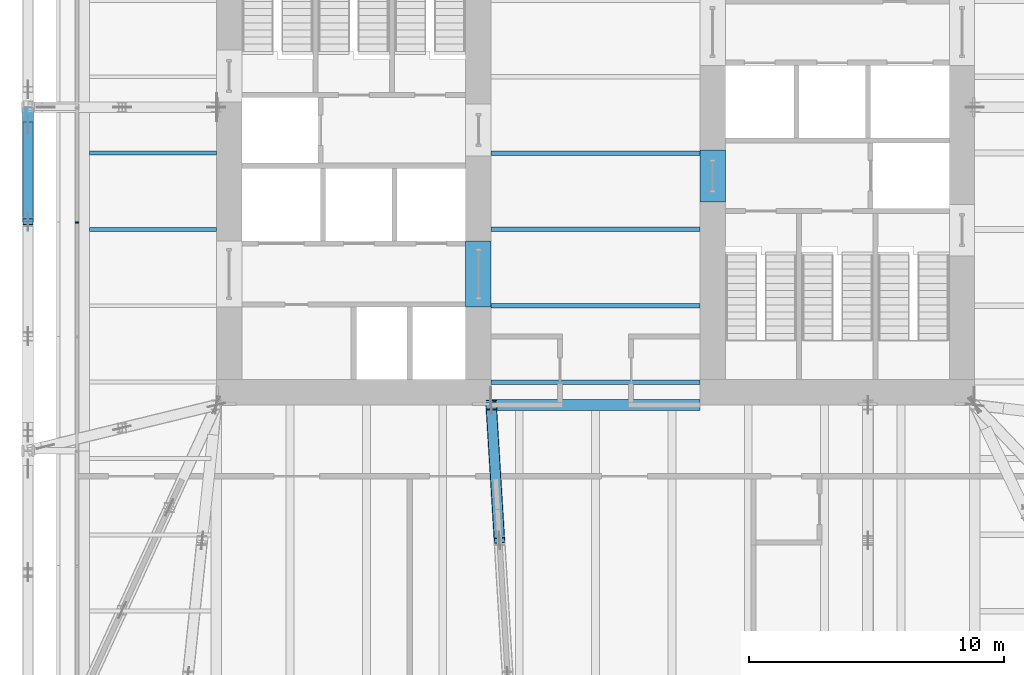
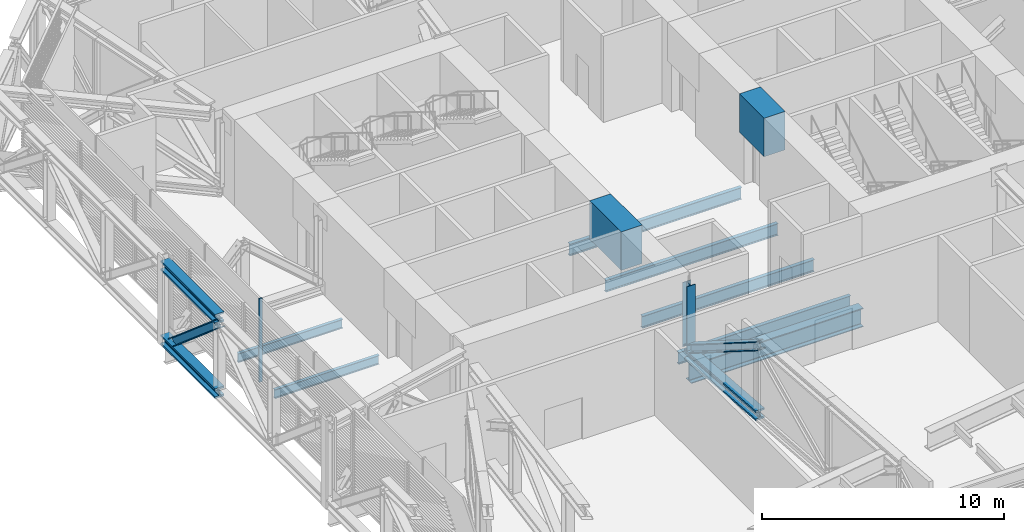
# One storey, part 8 of 31: 12 beams, 4 members, 1 element without a shape of its own.
"""IFC4 building model written with IfcOpenShell, lengths in metres."""

from ifc_helpers import new_model, si_unit, direction, frame, origin, origin_2d, place, context, subcontext, project, spatial, rectangle, i_section, extrude, material, layer, layer_set, material_profile, profile_set, type_object, element, aggregate, save


model = new_model("IFC4")

# Units and contexts
model_context = context("Model", 3, precision=1e-05, world=origin(), true_north=direction((0.0, 1.0)))
body_context = subcontext(model_context, "Body", "Model", "MODEL_VIEW")
ifc_project = project(units=[si_unit("LENGTHUNIT", "METRE"), si_unit("AREAUNIT", "SQUARE_METRE"), si_unit("VOLUMEUNIT", "CUBIC_METRE"), si_unit("PLANEANGLEUNIT", "RADIAN"), si_unit("MASSUNIT", "GRAM", prefix="KILO")], contexts=[model_context])

# Site, building, storey
site_placement = place(None, origin())
site = spatial("IfcSite", under=ifc_project, at=site_placement, CompositionType="ELEMENT")
building_placement = place(site_placement, origin())
building = spatial("IfcBuilding", under=site, at=building_placement, Name="Millrace Tower", CompositionType="ELEMENT")
storey_placement = place(building_placement, frame((0.0, 0.0, 120.39990234375)))
storey = spatial("IfcBuildingStorey", under=building, at=storey_placement, Name="L26", CompositionType="ELEMENT", Elevation=120.39990234375)

# Beams
ifc_material_1 = material(Name="Steel ASTM A992 Grade 50", Category="steel")
ifc_material_profile_1 = material_profile(ifc_material_1, i_section(OverallWidth=0.431884765625, OverallDepth=0.497802734375, WebThickness=0.0556640625, FlangeThickness=0.0888671875, FilletRadius=0.01513671875, at=origin_2d()))
ifc_profile_set_1 = profile_set([ifc_material_profile_1], Name="Steel ASTM A992 Grade 50")
beam_type_1 = type_object("IfcBeamType", Name="Belt truss chord W14x500", PredefinedType="BEAM", material=ifc_profile_set_1)
for number, where, z_axis, x_axis, name in (
    (1, (-22.300048828125, 1.800048828125, 0.2490234375), (0.0, -1.0, 0.0), (1.0, 0.0, 0.0), "BLT-L26-R15-B01"),
    (2, (-22.300048828125, 1.800048828125, 3.9912109375), (0.0, -1.0, 0.0), (1.0, 0.0, 0.0), "BLT-L26-R15-T01"),
):
    element("IfcBeam", number, at=place(storey_placement, frame(where, z_axis=z_axis, x_axis=x_axis)), inside=storey, type_object=beam_type_1, Name=name, PredefinedType="BEAM", context=body_context, shape_type="SweptSolid", body=[
        extrude(i_section(OverallWidth=0.431884765625, OverallDepth=0.497802734375, WebThickness=0.0556640625, FlangeThickness=0.0888671875, FilletRadius=0.01513671875, at=origin_2d()), origin(), (0.0, 0.0, 1.0), 4.5),
    ])

# Member
ifc_material_2 = material(Name="Steel ASTM A992 Grade 50", Category="steel")
ifc_material_profile_2 = material_profile(ifc_material_2, i_section(OverallWidth=0.4013671875, OverallDepth=0.398681640625, WebThickness=0.02490234375, FlangeThickness=0.03955078125, FilletRadius=0.01513671875, at=origin_2d()))
ifc_profile_set_2 = profile_set([ifc_material_profile_2], Name="Steel ASTM A992 Grade 50")
member_type_1 = type_object("IfcMemberType", Name="Belt truss diagonal W14x211", PredefinedType="BRACE", material=ifc_profile_set_2)
member_1_placement = place(storey_placement, frame((-22.300048828125, 1.10009765625, 0.498046875), z_axis=(0.0, -0.760545081281, 0.649285129461), x_axis=(1.0, 0.0, 0.0)))
element("IfcMember", 3, at=member_1_placement, inside=storey, type_object=member_type_1, Name="BLT-L26-R15-D01", PredefinedType="BRACE", context=body_context, shape_type="SweptSolid", body=[
    extrude(i_section(OverallWidth=0.4013671875, OverallDepth=0.398681640625, WebThickness=0.02490234375, FlangeThickness=0.03955078125, FilletRadius=0.01513671875, at=origin_2d()), origin(), (0.0, 0.0, 1.0), 4.99658203125),
])

# Curtain wall, member
ifc_material_3 = material(Name="Aluminium and glass", Category="aluminium")
ifc_layer = layer(ifc_material_3, 0.14990234375)
ifc_layer_set = layer_set([ifc_layer], Name="Aluminium and glass")
curtain_wall_type = type_object("IfcCurtainWallType", Name="CW-5 truss and plant storey louvred infill", PredefinedType="NOTDEFINED", material=ifc_layer_set)
curtain_wall_placement = place(storey_placement, origin())
curtain_wall = element("IfcCurtainWall", 4, at=curtain_wall_placement, inside=storey, type_object=curtain_wall_type, Name="Curtain wall B-F08 L26", PredefinedType="NOTDEFINED")
ifc_material_4 = material(Name="Aluminium", Category="aluminium")
ifc_material_profile_3 = material_profile(ifc_material_4, rectangle(XDim=0.06494140625, YDim=0.14990234375, at=origin_2d()))
ifc_profile_set_3 = profile_set([ifc_material_profile_3], Name="Aluminium")
member_type_2 = type_object("IfcMemberType", Name="CW-5 truss and plant storey louvred infill mullion", PredefinedType="MULLION", material=ifc_profile_set_3)
member_2_placement = place(storey_placement, frame((-20.375, -2.732421875, 0.14013671875), z_axis=(0.0, 0.0, 1.0), x_axis=(0.0, -1.0, 0.0)))
member_2 = element("IfcMember", 5, at=member_2_placement, type_object=member_type_2, Name="CW5 mullion B-F08.5", PredefinedType="MULLION", context=body_context, shape_type="SweptSolid", body=[
    extrude(rectangle(XDim=0.06494140625, YDim=0.14990234375, at=origin_2d()), origin(), (0.0, 0.0, 1.0), 4.199951171875),
])
aggregate(curtain_wall, [member_2])

# Beams
ifc_material_5 = material(Name="Concrete C80", Category="concrete")
ifc_material_profile_4 = material_profile(ifc_material_5, rectangle(XDim=1.0, YDim=1.93994140625, at=origin_2d()))
ifc_profile_set_4 = profile_set([ifc_material_profile_4], Name="Concrete C80")
beam_type_2 = type_object("IfcBeamType", Name="Coupling beam 1000 x 1940 Concrete C80, 1300 opening", PredefinedType="BEAM", material=ifc_profile_set_4)
beam_1_placement = place(storey_placement, frame((4.60009765625, 0.118408203125, 3.3701171875), z_axis=(0.0, -1.0, 0.0), x_axis=(1.0, 0.0, 0.0)))
element("IfcBeam", 6, at=beam_1_placement, inside=storey, type_object=beam_type_2, Name="Coupling beam E L26", PredefinedType="BEAM", context=body_context, shape_type="SweptSolid", body=[
    extrude(rectangle(XDim=1.0, YDim=1.93994140625, at=origin_2d()), origin(), (0.0, 0.0, 1.0), 2.036865234375),
])
ifc_material_6 = material(Name="Concrete C80", Category="concrete")
ifc_material_profile_5 = material_profile(ifc_material_6, rectangle(XDim=1.0, YDim=1.93994140625, at=origin_2d()))
ifc_profile_set_5 = profile_set([ifc_material_profile_5], Name="Concrete C80")
beam_type_3 = type_object("IfcBeamType", Name="Coupling beam 1000 x 1940 Concrete C80, 2000 opening", PredefinedType="BEAM", material=ifc_profile_set_5)
beam_2_placement = place(storey_placement, frame((-4.60009765625, -6.050048828125, 3.3701171875), z_axis=(0.0, 1.0, 0.0), x_axis=(-1.0, 0.0, 0.0)))
element("IfcBeam", 7, at=beam_2_placement, inside=storey, type_object=beam_type_3, Name="Coupling beam W L26", PredefinedType="BEAM", context=body_context, shape_type="SweptSolid", body=[
    extrude(rectangle(XDim=1.0, YDim=1.93994140625, at=origin_2d()), origin(), (0.0, 0.0, 1.0), 2.60009765625),
])
ifc_material_7 = material(Name="Steel ASTM A992 Grade 50", Category="steel")
ifc_material_profile_6 = material_profile(ifc_material_7, i_section(OverallWidth=0.15234375, OverallDepth=0.449462890625, WebThickness=0.007568359375, FlangeThickness=0.0107421875, FilletRadius=0.01025390625, at=origin_2d()))
ifc_profile_set_6 = profile_set([ifc_material_profile_6], Name="Steel ASTM A992 Grade 50")
beam_type_4 = type_object("IfcBeamType", Name="Floor beam W18x35", PredefinedType="JOIST", material=ifc_profile_set_6)
for number, where, z_axis, x_axis, name in (
    (8, (-19.87841796875, -3.0, -0.474609375), (1.0, 0.0, 0.0), (0.0, 1.0, 0.0), "BM-B-L26-S1-S020"),
    (9, (-19.87841796875, 0.0, -0.474609375), (1.0, 0.0, 0.0), (0.0, 1.0, 0.0), "BM-B-L26-S1-S023"),
):
    element("IfcBeam", number, at=place(storey_placement, frame(where, z_axis=z_axis, x_axis=x_axis)), inside=storey, type_object=beam_type_4, Name=name, PredefinedType="JOIST", context=body_context, shape_type="SweptSolid", body=[
        extrude(i_section(OverallWidth=0.15234375, OverallDepth=0.449462890625, WebThickness=0.007568359375, FlangeThickness=0.0107421875, FilletRadius=0.01025390625, at=origin_2d()), origin(), (0.0, 0.0, 1.0), 4.978515625),
    ])
ifc_material_8 = material(Name="Steel ASTM A992 Grade 50", Category="steel")
ifc_material_profile_7 = material_profile(ifc_material_8, i_section(OverallWidth=0.177978515625, OverallDepth=0.599365234375, WebThickness=0.010009765625, FlangeThickness=0.012939453125, FilletRadius=0.012939453125, at=origin_2d()))
ifc_profile_set_7 = profile_set([ifc_material_profile_7], Name="Steel ASTM A992 Grade 50")
beam_type_5 = type_object("IfcBeamType", Name="Floor beam W24x55", PredefinedType="JOIST", material=ifc_profile_set_7)
for number, where, z_axis, x_axis, name in (
    (10, (-4.10009765625, -9.0, -0.549560546875), (1.0, 0.0, 0.0), (0.0, 1.0, 0.0), "BM-B-L26-S1-S013"),
    (11, (-4.10009765625, -6.0, -0.549560546875), (1.0, 0.0, 0.0), (0.0, 1.0, 0.0), "BM-B-L26-S1-S016"),
    (12, (-4.10009765625, -3.0, -0.549560546875), (1.0, 0.0, 0.0), (0.0, 1.0, 0.0), "BM-B-L26-S1-S019"),
    (13, (-4.10009765625, 0.0, -0.549560546875), (1.0, 0.0, 0.0), (0.0, 1.0, 0.0), "BM-B-L26-S1-S022"),
):
    element("IfcBeam", number, at=place(storey_placement, frame(where, z_axis=z_axis, x_axis=x_axis)), inside=storey, type_object=beam_type_5, Name=name, PredefinedType="JOIST", context=body_context, shape_type="SweptSolid", body=[
        extrude(i_section(OverallWidth=0.177978515625, OverallDepth=0.599365234375, WebThickness=0.010009765625, FlangeThickness=0.012939453125, FilletRadius=0.012939453125, at=origin_2d()), origin(), (0.0, 0.0, 1.0), 8.2001953125),
    ])
ifc_material_9 = material(Name="Steel ASTM A992 Grade 50", Category="steel")
ifc_material_profile_8 = material_profile(ifc_material_9, i_section(OverallWidth=0.424072265625, OverallDepth=0.947509765625, WebThickness=0.02392578125, FlangeThickness=0.042724609375, FilletRadius=0.024169921875, at=origin_2d()))
ifc_profile_set_8 = profile_set([ifc_material_profile_8], Name="Steel ASTM A992 Grade 50")
beam_type_6 = type_object("IfcBeamType", Name="Girder short span W36x302", PredefinedType="BEAM", material=ifc_profile_set_8)
beam_3_placement = place(storey_placement, frame((-4.10009765625, -9.89990234375, -0.7236328125), z_axis=(1.0, 0.0, 0.0), x_axis=(0.0, 1.0, 0.0)))
element("IfcBeam", 14, at=beam_3_placement, inside=storey, type_object=beam_type_6, Name="BM-B-L26-S1-G063", PredefinedType="BEAM", context=body_context, shape_type="SweptSolid", body=[
    extrude(i_section(OverallWidth=0.424072265625, OverallDepth=0.947509765625, WebThickness=0.02392578125, FlangeThickness=0.042724609375, FilletRadius=0.024169921875, at=origin_2d()), origin(), (0.0, 0.0, 1.0), 8.2001953125),
])
ifc_material_10 = material(Name="Steel ASTM A992 Grade 50", Category="steel")
ifc_material_profile_9 = material_profile(ifc_material_10, i_section(OverallWidth=0.431884765625, OverallDepth=0.497802734375, WebThickness=0.0556640625, FlangeThickness=0.0888671875, FilletRadius=0.01513671875, at=origin_2d()))
ifc_profile_set_9 = profile_set([ifc_material_profile_9], Name="Steel ASTM A992 Grade 50")
beam_type_7 = type_object("IfcBeamType", Name="Outrigger truss chord W14x500", PredefinedType="BEAM", material=ifc_profile_set_9)
beam_4_placement = place(storey_placement, frame((-4.10009765625, -9.89990234375, 0.2490234375), z_axis=(0.060953753328, -0.998140591277, 0.0), x_axis=(0.998140591277, 0.060953753328, 0.0)))
element("IfcBeam", 15, at=beam_4_placement, inside=storey, type_object=beam_type_7, Name="BLT-L26-O03-B01", PredefinedType="BEAM", context=body_context, shape_type="SweptSolid", body=[
    extrude(i_section(OverallWidth=0.431884765625, OverallDepth=0.497802734375, WebThickness=0.0556640625, FlangeThickness=0.0888671875, FilletRadius=0.01513671875, at=origin_2d()), origin(), (0.0, 0.0, 1.0), 5.335205078125),
])

# Members
ifc_material_11 = material(Name="Steel ASTM A992 Grade 50", Category="steel")
ifc_material_profile_10 = material_profile(ifc_material_11, i_section(OverallWidth=0.4013671875, OverallDepth=0.398681640625, WebThickness=0.02490234375, FlangeThickness=0.03955078125, FilletRadius=0.01513671875, at=origin_2d()))
ifc_profile_set_10 = profile_set([ifc_material_profile_10], Name="Steel ASTM A992 Grade 50")
member_type_3 = type_object("IfcMemberType", Name="Outrigger truss diagonal W14x211", PredefinedType="BRACE", material=ifc_profile_set_10)
member_3_placement = place(storey_placement, frame((-4.10009765625, -9.89990234375, 0.498046875), z_axis=(0.052081001201, -0.852845944595, 0.519558816788), x_axis=(0.998140591277, 0.060953753328, 0.0)))
element("IfcMember", 16, at=member_3_placement, inside=storey, type_object=member_type_3, Name="BLT-L26-O03-D01", PredefinedType="BRACE", context=body_context, shape_type="SweptSolid", body=[
    extrude(i_section(OverallWidth=0.4013671875, OverallDepth=0.398681640625, WebThickness=0.02490234375, FlangeThickness=0.03955078125, FilletRadius=0.01513671875, at=origin_2d()), origin(), (0.0, 0.0, 1.0), 6.244140625),
])
ifc_material_12 = material(Name="Steel ASTM A992 Grade 50", Category="steel")
ifc_material_profile_11 = material_profile(ifc_material_12, i_section(OverallWidth=0.398681640625, OverallDepth=0.385986328125, WebThickness=0.02099609375, FlangeThickness=0.033203125, FilletRadius=0.01513671875, at=origin_2d()))
ifc_profile_set_11 = profile_set([ifc_material_profile_11], Name="Steel ASTM A992 Grade 50")
member_type_4 = type_object("IfcMemberType", Name="Outrigger truss post W14x176", PredefinedType="POST", material=ifc_profile_set_11)
member_4_placement = place(storey_placement, frame((-4.10009765625, -9.89990234375, 0.498046875), z_axis=(0.0, 0.0, 1.0), x_axis=(1.0, 0.0, 0.0)))
element("IfcMember", 17, at=member_4_placement, inside=storey, type_object=member_type_4, Name="BLT-L26-O03-V00", PredefinedType="POST", context=body_context, shape_type="SweptSolid", body=[
    extrude(i_section(OverallWidth=0.398681640625, OverallDepth=0.385986328125, WebThickness=0.02099609375, FlangeThickness=0.033203125, FilletRadius=0.01513671875, at=origin_2d()), origin(), (0.0, 0.0, 1.0), 3.244140625),
])

save(model, "model.ifc")
